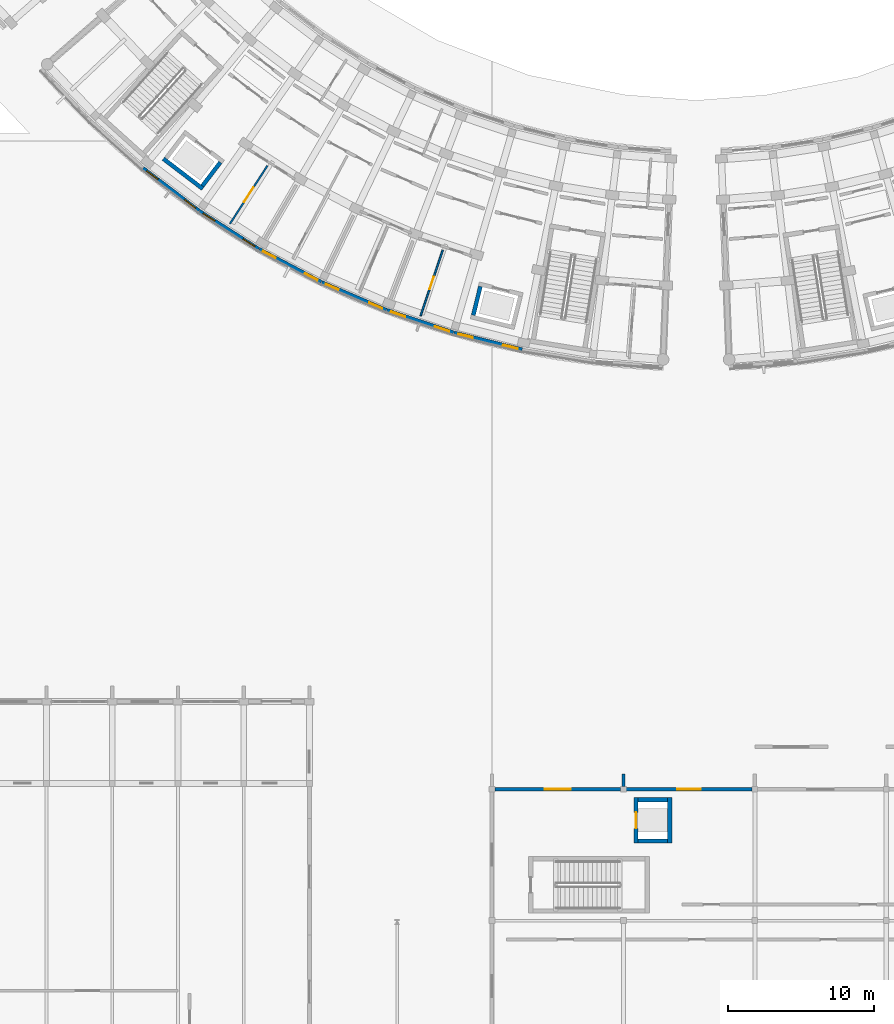
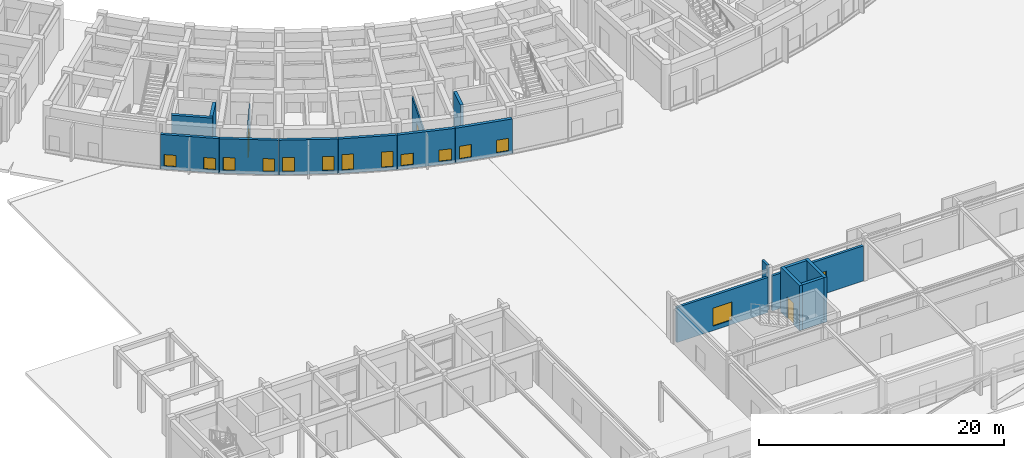
# One storey, part 28 of 61: 18 walls, 13 windows, 4 doors, 17 openings.
"""IFC4 building model written with IfcOpenShell, lengths in metres."""

from ifc_helpers import new_model, si_unit, direction, frame, frame_2d, origin, place, context, subcontext, project, spatial, rectangle, extrude, material, layer, layer_set, type_object, element, fill, save


model = new_model("IFC4")

# Units and contexts
model_context = context("Model", 3, precision=1e-05, world=origin(), true_north=direction((0.0, 1.0)))
body_context = subcontext(model_context, "Body", "Model", "MODEL_VIEW")
ifc_project = project(units=[si_unit("LENGTHUNIT", "METRE"), si_unit("AREAUNIT", "SQUARE_METRE"), si_unit("VOLUMEUNIT", "CUBIC_METRE"), si_unit("PLANEANGLEUNIT", "RADIAN"), si_unit("MASSUNIT", "GRAM", prefix="KILO")], contexts=[model_context])

# Site, building, storey
site_placement = place(None, origin())
site = spatial("IfcSite", under=ifc_project, at=site_placement, CompositionType="ELEMENT")
building_placement = place(site_placement, origin())
building = spatial("IfcBuilding", under=site, at=building_placement, Name="Zimvara Arc Housing Community", CompositionType="ELEMENT")
storey_placement = place(building_placement, origin())
storey = spatial("IfcBuildingStorey", under=building, at=storey_placement, Name="L00", CompositionType="ELEMENT", Elevation=0.0)

# Wall
ifc_material_1 = material(Name="Board-Marked Fair-Faced Concrete C35/45", Category="concrete")
ifc_layer_1 = layer(ifc_material_1, 0.219970703125)
ifc_layer_set_1 = layer_set([ifc_layer_1], Name="Board-Marked Fair-Faced Concrete C35/45")
wall_type_1 = type_object("IfcWallType", Name="EWL-PARA-220", PredefinedType="PARAPET", material=ifc_layer_set_1)
wall_1_placement = place(storey_placement, frame((121.0, 21.780029296875, 0.0), z_axis=(0.0, 0.0, 1.0), x_axis=(0.0, 1.0, 0.0)))
element("IfcWall", 1, at=wall_1_placement, inside=storey, type_object=wall_type_1, Name="finwall:nursery:L00:n:1", PredefinedType="PARAPET", context=body_context, shape_type="SweptSolid", body=[
    extrude(rectangle(XDim=0.869873046875, YDim=0.219970703125, at=frame_2d((0.43505859375, 0.0))), origin(), (0.0, 0.0, 1.0), 4.5),
])

# Wall, opening, window
ifc_material_2 = material(Name="Pigmented Fair-Faced Concrete C35/45", Category="concrete")
ifc_layer_2 = layer(ifc_material_2, 0.235107421875)
ifc_layer_set_2 = layer_set([ifc_layer_2], Name="Pigmented Fair-Faced Concrete C35/45")
wall_type_2 = type_object("IfcWallType", Name="EWL-PIGM-235", PredefinedType="SOLIDWALL", material=ifc_layer_set_2)
wall_2_placement = place(storey_placement, frame((112.195068359375, 21.60009765625, 0.0), z_axis=(0.0, 0.0, 1.0), x_axis=(1.0, 0.0, 0.0)))
wall_2 = element("IfcWall", 2, at=wall_2_placement, inside=storey, type_object=wall_type_2, Name="ewall:nursery:L00:north:b0", PredefinedType="SOLIDWALL", context=body_context, shape_type="SweptSolid", body=[
    extrude(rectangle(XDim=8.60986328125, YDim=0.235107421875, at=frame_2d((4.304931640625, 0.0))), origin(), (0.0, 0.0, 1.0), 3.5),
])
opening_1_placement = place(wall_2_placement, frame((3.405029296875, 0.0, 0.449951171875)))
opening_1 = element("IfcOpeningElement", 3, at=opening_1_placement, cuts=wall_2, Name="Opening W13", PredefinedType="OPENING", context=body_context, shape_type="SweptSolid", body=[
    extrude(rectangle(XDim=1.800048828125, YDim=1.800048828125, at=frame_2d((0.89990234375, 0.89990234375))), frame((0.0, 0.12744140625, 0.0), z_axis=(0.0, -1.0, 0.0), x_axis=(1.0, 0.0, 0.0)), (0.0, 0.0, 1.0), 0.255126953125),
])
ifc_material_3 = material(Name="Solar Control Low-E Double Glazing", Category="glass")
window_type_1 = type_object("IfcWindowType", Name="WIN-NURS-1800x1800", PartitioningType="TRIPLE_PANEL_VERTICAL", PredefinedType="WINDOW", material=ifc_material_3)
window_1_placement = place(opening_1_placement, origin())
window_1 = element("IfcWindow", 4, at=window_1_placement, inside=storey, type_object=window_type_1, Name="win:nursery:L00:north:b0", OverallHeight=1.800048828125, OverallWidth=1.800048828125, PartitioningType="TRIPLE_PANEL_VERTICAL", PredefinedType="WINDOW", context=body_context, shape_type="SweptSolid", body=[
    extrude(rectangle(XDim=1.800048828125, YDim=1.800048828125, at=frame_2d((0.89990234375, 0.89990234375))), frame((0.0, 0.030029296875, 0.0), z_axis=(0.0, -1.0, 0.0), x_axis=(1.0, 0.0, 0.0)), (0.0, 0.0, 1.0), 0.06005859375),
])
fill(opening_1, window_1)

# Wall, opening, door
wall_3_placement = place(storey_placement, frame((121.195068359375, 21.60009765625, 0.0), z_axis=(0.0, 0.0, 1.0), x_axis=(1.0, 0.0, 0.0)))
wall_3 = element("IfcWall", 5, at=wall_3_placement, inside=storey, type_object=wall_type_2, Name="ewall:nursery:L00:north:b1", PredefinedType="SOLIDWALL", context=body_context, shape_type="SweptSolid", body=[
    extrude(rectangle(XDim=8.60986328125, YDim=0.235107421875, at=frame_2d((4.304931640625, 0.0))), origin(), (0.0, 0.0, 1.0), 3.5),
])
opening_2_placement = place(wall_3_placement, frame((3.5048828125, 0.0, 0.0)))
opening_2 = element("IfcOpeningElement", 6, at=opening_2_placement, cuts=wall_3, Name="Opening ED05", PredefinedType="OPENING", context=body_context, shape_type="SweptSolid", body=[
    extrude(rectangle(XDim=1.60009765625, YDim=2.199951171875, at=frame_2d((0.800048828125, 1.10009765625))), frame((0.0, 0.12744140625, 0.0), z_axis=(0.0, -1.0, 0.0), x_axis=(1.0, 0.0, 0.0)), (0.0, 0.0, 1.0), 0.255126953125),
])
ifc_material_4 = material(Name="Anodised Aluminium AW-6063", Category="aluminium")
door_type_1 = type_object("IfcDoorType", Name="EDR-NURS-1600x2200", OperationType="DOUBLE_DOOR_SINGLE_SWING", PredefinedType="DOOR", material=ifc_material_4)
door_1_placement = place(opening_2_placement, origin())
door_1 = element("IfcDoor", 7, at=door_1_placement, inside=storey, type_object=door_type_1, Name="edoor:nursery:L00:north:b1", OperationType="DOUBLE_DOOR_SINGLE_SWING", OverallHeight=2.199951171875, OverallWidth=1.60009765625, PredefinedType="DOOR", context=body_context, shape_type="SweptSolid", body=[
    extrude(rectangle(XDim=1.60009765625, YDim=2.199951171875, at=frame_2d((0.800048828125, 1.10009765625))), frame((0.0, 0.02490234375, 0.0), z_axis=(0.0, -1.0, 0.0), x_axis=(1.0, 0.0, 0.0)), (0.0, 0.0, 1.0), 0.050048828125),
])
fill(opening_2, door_1)

# Wall, openings, windows
ifc_material_5 = material(Name="Board-Marked Fair-Faced Concrete C35/45", Category="concrete")
ifc_layer_3 = layer(ifc_material_5, 0.258056640625)
ifc_layer_set_3 = layer_set([ifc_layer_3], Name="Board-Marked Fair-Faced Concrete C35/45")
wall_type_3 = type_object("IfcWallType", Name="EWL-VAR-19", PredefinedType="SOLIDWALL", material=ifc_layer_set_3)
wall_4_placement = place(storey_placement, frame((88.11376953125, 64.121337890625, 0.0), z_axis=(0.0, 0.0, 1.0), x_axis=(0.795463184108, -0.60600191644, 0.0)))
wall_4 = element("IfcWall", 8, at=wall_4_placement, inside=storey, type_object=wall_type_3, Name="ewall:blkC:L00:out:b2", PredefinedType="SOLIDWALL", context=body_context, shape_type="SweptSolid", body=[
    extrude(rectangle(XDim=4.80908203125, YDim=0.258056640625, at=frame_2d((2.404541015625, 0.0))), origin(), (0.0, 0.0, 1.0), 3.449951171875),
])
opening_3_placement = place(wall_4_placement, frame((0.300048828125, 0.0, 0.300048828125)))
opening_3 = element("IfcOpeningElement", 9, at=opening_3_placement, cuts=wall_4, Name="Opening W25", PredefinedType="OPENING", context=body_context, shape_type="SweptSolid", body=[
    extrude(rectangle(XDim=0.9599609375, YDim=1.159912109375, at=frame_2d((0.47998046875, 0.580078125))), frame((0.0, 0.138916015625, 0.0), z_axis=(0.0, -1.0, 0.0), x_axis=(1.0, 0.0, 0.0)), (0.0, 0.0, 1.0), 0.278076171875),
])
opening_4_placement = place(wall_4_placement, frame((3.548828125, 0.0, 0.300048828125)))
opening_4 = element("IfcOpeningElement", 10, at=opening_4_placement, cuts=wall_4, Name="Opening W25", PredefinedType="OPENING", context=body_context, shape_type="SweptSolid", body=[
    extrude(rectangle(XDim=0.9599609375, YDim=1.159912109375, at=frame_2d((0.47998046875, 0.580078125))), frame((0.0, 0.138916015625, 0.0), z_axis=(0.0, -1.0, 0.0), x_axis=(1.0, 0.0, 0.0)), (0.0, 0.0, 1.0), 0.278076171875),
])
ifc_material_6 = material(Name="Solar Control Low-E Double Glazing", Category="glass")
window_type_2 = type_object("IfcWindowType", Name="WIN-MOD-960x1160", PartitioningType="DOUBLE_PANEL_VERTICAL", PredefinedType="WINDOW", material=ifc_material_6)
window_2_placement = place(opening_3_placement, origin())
window_2 = element("IfcWindow", 11, at=window_2_placement, inside=storey, type_object=window_type_2, Name="win:blkC:L00:out:b2:1", OverallHeight=1.159912109375, OverallWidth=0.9599609375, PartitioningType="DOUBLE_PANEL_VERTICAL", PredefinedType="WINDOW", context=body_context, shape_type="SweptSolid", body=[
    extrude(rectangle(XDim=0.9599609375, YDim=1.159912109375, at=frame_2d((0.47998046875, 0.580078125))), frame((0.0, 0.030029296875, 0.0), z_axis=(0.0, -1.0, 0.0), x_axis=(1.0, 0.0, 0.0)), (0.0, 0.0, 1.0), 0.06005859375),
])
fill(opening_3, window_2)
window_3_placement = place(opening_4_placement, origin())
window_3 = element("IfcWindow", 12, at=window_3_placement, inside=storey, type_object=window_type_2, Name="win:blkC:L00:out:b2:2", OverallHeight=1.159912109375, OverallWidth=0.9599609375, PartitioningType="DOUBLE_PANEL_VERTICAL", PredefinedType="WINDOW", context=body_context, shape_type="SweptSolid", body=[
    extrude(rectangle(XDim=0.9599609375, YDim=1.159912109375, at=frame_2d((0.47998046875, 0.580078125))), frame((0.0, 0.030029296875, 0.0), z_axis=(0.0, -1.0, 0.0), x_axis=(1.0, 0.0, 0.0)), (0.0, 0.0, 1.0), 0.06005859375),
])
fill(opening_4, window_3)

ifc_material_7 = material(Name="Board-Marked Fair-Faced Concrete C35/45", Category="concrete")
ifc_layer_4 = layer(ifc_material_7, 0.261962890625)
ifc_layer_set_4 = layer_set([ifc_layer_4], Name="Board-Marked Fair-Faced Concrete C35/45")
wall_type_4 = type_object("IfcWallType", Name="EWL-VAR-20", PredefinedType="SOLIDWALL", material=ifc_layer_set_4)
wall_5_placement = place(storey_placement, frame((91.971923828125, 61.18408203125, 0.0), z_axis=(0.0, 0.0, 1.0), x_axis=(0.84226218024, -0.539068103061, 0.0)))
wall_5 = element("IfcWall", 13, at=wall_5_placement, inside=storey, type_object=wall_type_4, Name="ewall:blkC:L00:out:b3", PredefinedType="SOLIDWALL", context=body_context, shape_type="SweptSolid", body=[
    extrude(rectangle(XDim=4.808837890625, YDim=0.261962890625, at=frame_2d((2.404296875, 0.0))), origin(), (0.0, 0.0, 1.0), 3.449951171875),
])
opening_5_placement = place(wall_5_placement, frame((0.300048828125, 0.0, 0.300048828125)))
opening_5 = element("IfcOpeningElement", 14, at=opening_5_placement, cuts=wall_5, Name="Opening W26", PredefinedType="OPENING", context=body_context, shape_type="SweptSolid", body=[
    extrude(rectangle(XDim=0.9599609375, YDim=1.280029296875, at=frame_2d((0.47998046875, 0.64013671875))), frame((0.0, 0.140869140625, 0.0), z_axis=(0.0, -1.0, 0.0), x_axis=(1.0, 0.0, 0.0)), (0.0, 0.0, 1.0), 0.281982421875),
])
opening_6_placement = place(wall_5_placement, frame((3.548828125, 0.0, 0.300048828125)))
opening_6 = element("IfcOpeningElement", 15, at=opening_6_placement, cuts=wall_5, Name="Opening W26", PredefinedType="OPENING", context=body_context, shape_type="SweptSolid", body=[
    extrude(rectangle(XDim=0.9599609375, YDim=1.280029296875, at=frame_2d((0.47998046875, 0.64013671875))), frame((0.0, 0.140869140625, 0.0), z_axis=(0.0, -1.0, 0.0), x_axis=(1.0, 0.0, 0.0)), (0.0, 0.0, 1.0), 0.281982421875),
])
ifc_material_8 = material(Name="Solar Control Low-E Double Glazing", Category="glass")
window_type_3 = type_object("IfcWindowType", Name="WIN-MOD-960x1280", PartitioningType="DOUBLE_PANEL_VERTICAL", PredefinedType="WINDOW", material=ifc_material_8)
window_4_placement = place(opening_5_placement, origin())
window_4 = element("IfcWindow", 16, at=window_4_placement, inside=storey, type_object=window_type_3, Name="win:blkC:L00:out:b3:1", OverallHeight=1.280029296875, OverallWidth=0.9599609375, PartitioningType="DOUBLE_PANEL_VERTICAL", PredefinedType="WINDOW", context=body_context, shape_type="SweptSolid", body=[
    extrude(rectangle(XDim=0.9599609375, YDim=1.280029296875, at=frame_2d((0.47998046875, 0.64013671875))), frame((0.0, 0.030029296875, 0.0), z_axis=(0.0, -1.0, 0.0), x_axis=(1.0, 0.0, 0.0)), (0.0, 0.0, 1.0), 0.06005859375),
])
fill(opening_5, window_4)
window_5_placement = place(opening_6_placement, origin())
window_5 = element("IfcWindow", 17, at=window_5_placement, inside=storey, type_object=window_type_3, Name="win:blkC:L00:out:b3:2", OverallHeight=1.280029296875, OverallWidth=0.9599609375, PartitioningType="DOUBLE_PANEL_VERTICAL", PredefinedType="WINDOW", context=body_context, shape_type="SweptSolid", body=[
    extrude(rectangle(XDim=0.9599609375, YDim=1.280029296875, at=frame_2d((0.47998046875, 0.64013671875))), frame((0.0, 0.030029296875, 0.0), z_axis=(0.0, -1.0, 0.0), x_axis=(1.0, 0.0, 0.0)), (0.0, 0.0, 1.0), 0.06005859375),
])
fill(opening_6, window_5)

ifc_material_9 = material(Name="Board-Marked Fair-Faced Concrete C35/45", Category="concrete")
ifc_layer_5 = layer(ifc_material_9, 0.26806640625)
ifc_layer_set_5 = layer_set([ifc_layer_5], Name="Board-Marked Fair-Faced Concrete C35/45")
wall_type_5 = type_object("IfcWallType", Name="EWL-VAR-21", PredefinedType="SOLIDWALL", material=ifc_layer_set_5)
wall_6_placement = place(storey_placement, frame((96.056640625, 58.57177734375, 0.0), z_axis=(0.0, 0.0, 1.0), x_axis=(0.883448093208, -0.468529045639, 0.0)))
wall_6 = element("IfcWall", 18, at=wall_6_placement, inside=storey, type_object=wall_type_5, Name="ewall:blkC:L00:out:b4", PredefinedType="SOLIDWALL", context=body_context, shape_type="SweptSolid", body=[
    extrude(rectangle(XDim=4.80908203125, YDim=0.26806640625, at=frame_2d((2.404541015625, 0.0))), origin(), (0.0, 0.0, 1.0), 3.449951171875),
])
opening_7_placement = place(wall_6_placement, frame((0.300048828125, 0.0, 0.300048828125)))
opening_7 = element("IfcOpeningElement", 19, at=opening_7_placement, cuts=wall_6, Name="Opening W27", PredefinedType="OPENING", context=body_context, shape_type="SweptSolid", body=[
    extrude(rectangle(XDim=0.9599609375, YDim=1.419921875, at=frame_2d((0.47998046875, 0.7099609375))), frame((0.0, 0.14404296875, 0.0), z_axis=(0.0, -1.0, 0.0), x_axis=(1.0, 0.0, 0.0)), (0.0, 0.0, 1.0), 0.2880859375),
])
opening_8_placement = place(wall_6_placement, frame((3.548828125, 0.0, 0.300048828125)))
opening_8 = element("IfcOpeningElement", 20, at=opening_8_placement, cuts=wall_6, Name="Opening W27", PredefinedType="OPENING", context=body_context, shape_type="SweptSolid", body=[
    extrude(rectangle(XDim=0.9599609375, YDim=1.419921875, at=frame_2d((0.47998046875, 0.7099609375))), frame((0.0, 0.14404296875, 0.0), z_axis=(0.0, -1.0, 0.0), x_axis=(1.0, 0.0, 0.0)), (0.0, 0.0, 1.0), 0.2880859375),
])
ifc_material_10 = material(Name="Solar Control Low-E Double Glazing", Category="glass")
window_type_4 = type_object("IfcWindowType", Name="WIN-MOD-960x1420", PartitioningType="DOUBLE_PANEL_VERTICAL", PredefinedType="WINDOW", material=ifc_material_10)
window_6_placement = place(opening_7_placement, origin())
window_6 = element("IfcWindow", 21, at=window_6_placement, inside=storey, type_object=window_type_4, Name="win:blkC:L00:out:b4:1", OverallHeight=1.419921875, OverallWidth=0.9599609375, PartitioningType="DOUBLE_PANEL_VERTICAL", PredefinedType="WINDOW", context=body_context, shape_type="SweptSolid", body=[
    extrude(rectangle(XDim=0.9599609375, YDim=1.419921875, at=frame_2d((0.47998046875, 0.7099609375))), frame((0.0, 0.030029296875, 0.0), z_axis=(0.0, -1.0, 0.0), x_axis=(1.0, 0.0, 0.0)), (0.0, 0.0, 1.0), 0.06005859375),
])
fill(opening_7, window_6)
window_7_placement = place(opening_8_placement, origin())
window_7 = element("IfcWindow", 22, at=window_7_placement, inside=storey, type_object=window_type_4, Name="win:blkC:L00:out:b4:2", OverallHeight=1.419921875, OverallWidth=0.9599609375, PartitioningType="DOUBLE_PANEL_VERTICAL", PredefinedType="WINDOW", context=body_context, shape_type="SweptSolid", body=[
    extrude(rectangle(XDim=0.9599609375, YDim=1.419921875, at=frame_2d((0.47998046875, 0.7099609375))), frame((0.0, 0.030029296875, 0.0), z_axis=(0.0, -1.0, 0.0), x_axis=(1.0, 0.0, 0.0)), (0.0, 0.0, 1.0), 0.06005859375),
])
fill(opening_8, window_7)

ifc_material_11 = material(Name="Board-Marked Fair-Faced Concrete C35/45", Category="concrete")
ifc_layer_6 = layer(ifc_material_11, 0.27197265625)
ifc_layer_set_6 = layer_set([ifc_layer_6], Name="Board-Marked Fair-Faced Concrete C35/45")
wall_type_6 = type_object("IfcWallType", Name="EWL-VAR-22", PredefinedType="SOLIDWALL", material=ifc_layer_set_6)
wall_7_placement = place(storey_placement, frame((100.341064453125, 56.30126953125, 0.0), z_axis=(0.0, 0.0, 1.0), x_axis=(0.918737524932, -0.39486878869, 0.0)))
wall_7 = element("IfcWall", 23, at=wall_7_placement, inside=storey, type_object=wall_type_6, Name="ewall:blkC:L00:out:b5", PredefinedType="SOLIDWALL", context=body_context, shape_type="SweptSolid", body=[
    extrude(rectangle(XDim=4.80908203125, YDim=0.27197265625, at=frame_2d((2.404541015625, 0.0))), origin(), (0.0, 0.0, 1.0), 3.449951171875),
])
opening_9_placement = place(wall_7_placement, frame((0.300048828125, 0.0, 0.300048828125)))
opening_9 = element("IfcOpeningElement", 24, at=opening_9_placement, cuts=wall_7, Name="Opening W28", PredefinedType="OPENING", context=body_context, shape_type="SweptSolid", body=[
    extrude(rectangle(XDim=0.9599609375, YDim=1.56005859375, at=frame_2d((0.47998046875, 0.780029296875))), frame((0.0, 0.14599609375, 0.0), z_axis=(0.0, -1.0, 0.0), x_axis=(1.0, 0.0, 0.0)), (0.0, 0.0, 1.0), 0.2919921875),
])
opening_10_placement = place(wall_7_placement, frame((3.548828125, 0.0, 0.300048828125)))
opening_10 = element("IfcOpeningElement", 25, at=opening_10_placement, cuts=wall_7, Name="Opening W28", PredefinedType="OPENING", context=body_context, shape_type="SweptSolid", body=[
    extrude(rectangle(XDim=0.9599609375, YDim=1.56005859375, at=frame_2d((0.47998046875, 0.780029296875))), frame((0.0, 0.14599609375, 0.0), z_axis=(0.0, -1.0, 0.0), x_axis=(1.0, 0.0, 0.0)), (0.0, 0.0, 1.0), 0.2919921875),
])
ifc_material_12 = material(Name="Solar Control Low-E Double Glazing", Category="glass")
window_type_5 = type_object("IfcWindowType", Name="WIN-MOD-960x1560", PartitioningType="DOUBLE_PANEL_VERTICAL", PredefinedType="WINDOW", material=ifc_material_12)
window_8_placement = place(opening_9_placement, origin())
window_8 = element("IfcWindow", 26, at=window_8_placement, inside=storey, type_object=window_type_5, Name="win:blkC:L00:out:b5:1", OverallHeight=1.56005859375, OverallWidth=0.9599609375, PartitioningType="DOUBLE_PANEL_VERTICAL", PredefinedType="WINDOW", context=body_context, shape_type="SweptSolid", body=[
    extrude(rectangle(XDim=0.9599609375, YDim=1.56005859375, at=frame_2d((0.47998046875, 0.780029296875))), frame((0.0, 0.030029296875, 0.0), z_axis=(0.0, -1.0, 0.0), x_axis=(1.0, 0.0, 0.0)), (0.0, 0.0, 1.0), 0.06005859375),
])
fill(opening_9, window_8)
window_9_placement = place(opening_10_placement, origin())
window_9 = element("IfcWindow", 27, at=window_9_placement, inside=storey, type_object=window_type_5, Name="win:blkC:L00:out:b5:2", OverallHeight=1.56005859375, OverallWidth=0.9599609375, PartitioningType="DOUBLE_PANEL_VERTICAL", PredefinedType="WINDOW", context=body_context, shape_type="SweptSolid", body=[
    extrude(rectangle(XDim=0.9599609375, YDim=1.56005859375, at=frame_2d((0.47998046875, 0.780029296875))), frame((0.0, 0.030029296875, 0.0), z_axis=(0.0, -1.0, 0.0), x_axis=(1.0, 0.0, 0.0)), (0.0, 0.0, 1.0), 0.06005859375),
])
fill(opening_10, window_9)

ifc_material_13 = material(Name="Board-Marked Fair-Faced Concrete C35/45", Category="concrete")
ifc_layer_7 = layer(ifc_material_13, 0.278076171875)
ifc_layer_set_7 = layer_set([ifc_layer_7], Name="Board-Marked Fair-Faced Concrete C35/45")
wall_type_7 = type_object("IfcWallType", Name="EWL-VAR-23", PredefinedType="SOLIDWALL", material=ifc_layer_set_7)
wall_8_placement = place(storey_placement, frame((104.79638671875, 54.387939453125, 0.0), z_axis=(0.0, 0.0, 1.0), x_axis=(0.947883232114, -0.318617918952, 0.0)))
wall_8 = element("IfcWall", 28, at=wall_8_placement, inside=storey, type_object=wall_type_7, Name="ewall:blkC:L00:out:b6", PredefinedType="SOLIDWALL", context=body_context, shape_type="SweptSolid", body=[
    extrude(rectangle(XDim=4.80908203125, YDim=0.278076171875, at=frame_2d((2.404541015625, 0.0))), origin(), (0.0, 0.0, 1.0), 3.449951171875),
])
opening_11_placement = place(wall_8_placement, frame((0.300048828125, 0.0, 0.300048828125)))
opening_11 = element("IfcOpeningElement", 29, at=opening_11_placement, cuts=wall_8, Name="Opening W29", PredefinedType="OPENING", context=body_context, shape_type="SweptSolid", body=[
    extrude(rectangle(XDim=1.0400390625, YDim=1.159912109375, at=frame_2d((0.52001953125, 0.580078125))), frame((0.0, 0.14892578125, 0.0), z_axis=(0.0, -1.0, 0.0), x_axis=(1.0, 0.0, 0.0)), (0.0, 0.0, 1.0), 0.298095703125),
])
opening_12_placement = place(wall_8_placement, frame((3.468994140625, 0.0, 0.300048828125)))
opening_12 = element("IfcOpeningElement", 30, at=opening_12_placement, cuts=wall_8, Name="Opening W29", PredefinedType="OPENING", context=body_context, shape_type="SweptSolid", body=[
    extrude(rectangle(XDim=1.0400390625, YDim=1.159912109375, at=frame_2d((0.52001953125, 0.580078125))), frame((0.0, 0.14892578125, 0.0), z_axis=(0.0, -1.0, 0.0), x_axis=(1.0, 0.0, 0.0)), (0.0, 0.0, 1.0), 0.298095703125),
])
ifc_material_14 = material(Name="Solar Control Low-E Double Glazing", Category="glass")
window_type_6 = type_object("IfcWindowType", Name="WIN-MOD-1040x1160", PartitioningType="DOUBLE_PANEL_VERTICAL", PredefinedType="WINDOW", material=ifc_material_14)
window_10_placement = place(opening_11_placement, origin())
window_10 = element("IfcWindow", 31, at=window_10_placement, inside=storey, type_object=window_type_6, Name="win:blkC:L00:out:b6:1", OverallHeight=1.159912109375, OverallWidth=1.0400390625, PartitioningType="DOUBLE_PANEL_VERTICAL", PredefinedType="WINDOW", context=body_context, shape_type="SweptSolid", body=[
    extrude(rectangle(XDim=1.0400390625, YDim=1.159912109375, at=frame_2d((0.52001953125, 0.580078125))), frame((0.0, 0.030029296875, 0.0), z_axis=(0.0, -1.0, 0.0), x_axis=(1.0, 0.0, 0.0)), (0.0, 0.0, 1.0), 0.06005859375),
])
fill(opening_11, window_10)
window_11_placement = place(opening_12_placement, origin())
window_11 = element("IfcWindow", 32, at=window_11_placement, inside=storey, type_object=window_type_6, Name="win:blkC:L00:out:b6:2", OverallHeight=1.159912109375, OverallWidth=1.0400390625, PartitioningType="DOUBLE_PANEL_VERTICAL", PredefinedType="WINDOW", context=body_context, shape_type="SweptSolid", body=[
    extrude(rectangle(XDim=1.0400390625, YDim=1.159912109375, at=frame_2d((0.52001953125, 0.580078125))), frame((0.0, 0.030029296875, 0.0), z_axis=(0.0, -1.0, 0.0), x_axis=(1.0, 0.0, 0.0)), (0.0, 0.0, 1.0), 0.06005859375),
])
fill(opening_12, window_11)

ifc_material_15 = material(Name="Board-Marked Fair-Faced Concrete C35/45", Category="concrete")
ifc_layer_8 = layer(ifc_material_15, 0.281982421875)
ifc_layer_set_8 = layer_set([ifc_layer_8], Name="Board-Marked Fair-Faced Concrete C35/45")
wall_type_8 = type_object("IfcWallType", Name="EWL-VAR-24", PredefinedType="SOLIDWALL", material=ifc_layer_set_8)
wall_9_placement = place(storey_placement, frame((109.39306640625, 52.844482421875, 0.0), z_axis=(0.0, 0.0, 1.0), x_axis=(0.970716115822, -0.240229520426, 0.0)))
wall_9 = element("IfcWall", 33, at=wall_9_placement, inside=storey, type_object=wall_type_8, Name="ewall:blkC:L00:out:b7", PredefinedType="SOLIDWALL", context=body_context, shape_type="SweptSolid", body=[
    extrude(rectangle(XDim=4.80908203125, YDim=0.281982421875, at=frame_2d((2.404541015625, 0.0))), origin(), (0.0, 0.0, 1.0), 3.449951171875),
])
opening_13_placement = place(wall_9_placement, frame((0.300048828125, 0.0, 0.300048828125)))
opening_13 = element("IfcOpeningElement", 34, at=opening_13_placement, cuts=wall_9, Name="Opening W30", PredefinedType="OPENING", context=body_context, shape_type="SweptSolid", body=[
    extrude(rectangle(XDim=1.0400390625, YDim=1.280029296875, at=frame_2d((0.52001953125, 0.64013671875))), frame((0.0, 0.15087890625, 0.0), z_axis=(0.0, -1.0, 0.0), x_axis=(1.0, 0.0, 0.0)), (0.0, 0.0, 1.0), 0.302001953125),
])
opening_14_placement = place(wall_9_placement, frame((3.468994140625, 0.0, 0.300048828125)))
opening_14 = element("IfcOpeningElement", 35, at=opening_14_placement, cuts=wall_9, Name="Opening W30", PredefinedType="OPENING", context=body_context, shape_type="SweptSolid", body=[
    extrude(rectangle(XDim=1.0400390625, YDim=1.280029296875, at=frame_2d((0.52001953125, 0.64013671875))), frame((0.0, 0.15087890625, 0.0), z_axis=(0.0, -1.0, 0.0), x_axis=(1.0, 0.0, 0.0)), (0.0, 0.0, 1.0), 0.302001953125),
])
ifc_material_16 = material(Name="Solar Control Low-E Double Glazing", Category="glass")
window_type_7 = type_object("IfcWindowType", Name="WIN-MOD-1040x1280", PartitioningType="DOUBLE_PANEL_VERTICAL", PredefinedType="WINDOW", material=ifc_material_16)
window_12_placement = place(opening_13_placement, origin())
window_12 = element("IfcWindow", 36, at=window_12_placement, inside=storey, type_object=window_type_7, Name="win:blkC:L00:out:b7:1", OverallHeight=1.280029296875, OverallWidth=1.0400390625, PartitioningType="DOUBLE_PANEL_VERTICAL", PredefinedType="WINDOW", context=body_context, shape_type="SweptSolid", body=[
    extrude(rectangle(XDim=1.0400390625, YDim=1.280029296875, at=frame_2d((0.52001953125, 0.64013671875))), frame((0.0, 0.030029296875, 0.0), z_axis=(0.0, -1.0, 0.0), x_axis=(1.0, 0.0, 0.0)), (0.0, 0.0, 1.0), 0.06005859375),
])
fill(opening_13, window_12)
window_13_placement = place(opening_14_placement, origin())
window_13 = element("IfcWindow", 37, at=window_13_placement, inside=storey, type_object=window_type_7, Name="win:blkC:L00:out:b7:2", OverallHeight=1.280029296875, OverallWidth=1.0400390625, PartitioningType="DOUBLE_PANEL_VERTICAL", PredefinedType="WINDOW", context=body_context, shape_type="SweptSolid", body=[
    extrude(rectangle(XDim=1.0400390625, YDim=1.280029296875, at=frame_2d((0.52001953125, 0.64013671875))), frame((0.0, 0.030029296875, 0.0), z_axis=(0.0, -1.0, 0.0), x_axis=(1.0, 0.0, 0.0)), (0.0, 0.0, 1.0), 0.06005859375),
])
fill(opening_14, window_13)

# Wall, opening, door
ifc_material_17 = material(Name="Painted Acoustic Plasterboard")
ifc_layer_9 = layer(ifc_material_17, 0.1201171875)
ifc_layer_set_9 = layer_set([ifc_layer_9], Name="Painted Acoustic Plasterboard")
wall_type_9 = type_object("IfcWallType", Name="IWL-PART-120", PredefinedType="PARTITIONING", material=ifc_layer_set_9)
wall_10_placement = place(storey_placement, frame((96.625244140625, 64.297607421875, 0.0), z_axis=(0.0, 0.0, 1.0), x_axis=(-0.541632735422, -0.840615238929, 0.0)))
wall_10 = element("IfcWall", 38, at=wall_10_placement, inside=storey, type_object=wall_type_9, Name="iwall:blkC:L00:bed_div:b3", PredefinedType="PARTITIONING", context=body_context, shape_type="SweptSolid", body=[
    extrude(rectangle(XDim=4.75, YDim=0.1201171875, at=frame_2d((2.375, 0.0))), origin(), (0.0, 0.0, 1.0), 3.340087890625),
])
opening_15_placement = place(wall_10_placement, frame((1.784912109375, 0.0, 0.0)))
opening_15 = element("IfcOpeningElement", 39, at=opening_15_placement, cuts=wall_10, Name="Opening D18", PredefinedType="OPENING", context=body_context, shape_type="SweptSolid", body=[
    extrude(rectangle(XDim=1.179931640625, YDim=2.10009765625, at=frame_2d((0.58984375, 1.050048828125))), frame((0.0, 0.070068359375, 0.0), z_axis=(0.0, -1.0, 0.0), x_axis=(1.0, 0.0, 0.0)), (0.0, 0.0, 1.0), 0.14013671875),
])
ifc_material_18 = material(Name="Mozambican Hardwood", Category="wood")
door_type_2 = type_object("IfcDoorType", Name="IDR-MOD-1180x2120", OperationType="NOTDEFINED", PredefinedType="DOOR", material=ifc_material_18)
door_2_placement = place(opening_15_placement, origin())
door_2 = element("IfcDoor", 40, at=door_2_placement, inside=storey, type_object=door_type_2, Name="idoor:blkC:L00:bed_d:b3", OperationType="SINGLE_SWING_LEFT", OverallHeight=2.10009765625, OverallWidth=1.179931640625, PredefinedType="DOOR", context=body_context, shape_type="SweptSolid", body=[
    extrude(rectangle(XDim=1.179931640625, YDim=2.10009765625, at=frame_2d((0.58984375, 1.050048828125))), frame((0.0, 0.02490234375, 0.0), z_axis=(0.0, -1.0, 0.0), x_axis=(1.0, 0.0, 0.0)), (0.0, 0.0, 1.0), 0.050048828125),
])
fill(opening_15, door_2)

wall_11_placement = place(storey_placement, frame((108.6328125, 58.510986328125, 0.0), z_axis=(0.0, 0.0, 1.0), x_axis=(-0.320064719126, -0.947395680574, 0.0)))
wall_11 = element("IfcWall", 41, at=wall_11_placement, inside=storey, type_object=wall_type_9, Name="iwall:blkC:L00:bed_div:b6", PredefinedType="PARTITIONING", context=body_context, shape_type="SweptSolid", body=[
    extrude(rectangle(XDim=4.749755859375, YDim=0.1201171875, at=frame_2d((2.375, 0.0))), origin(), (0.0, 0.0, 1.0), 3.340087890625),
])
opening_16_placement = place(wall_11_placement, frame((1.925048828125, 0.0, 0.0)))
opening_16 = element("IfcOpeningElement", 42, at=opening_16_placement, cuts=wall_11, Name="Opening D01", PredefinedType="OPENING", context=body_context, shape_type="SweptSolid", body=[
    extrude(rectangle(XDim=0.89990234375, YDim=2.10009765625, at=frame_2d((0.449951171875, 1.050048828125))), frame((0.0, 0.070068359375, 0.0), z_axis=(0.0, -1.0, 0.0), x_axis=(1.0, 0.0, 0.0)), (0.0, 0.0, 1.0), 0.14013671875),
])
ifc_material_19 = material(Name="Mozambican Hardwood", Category="wood")
door_type_3 = type_object("IfcDoorType", Name="IDR-RM-0900x2100", OperationType="NOTDEFINED", PredefinedType="DOOR", material=ifc_material_19)
door_3_placement = place(opening_16_placement, origin())
door_3 = element("IfcDoor", 43, at=door_3_placement, inside=storey, type_object=door_type_3, Name="idoor:blkC:L00:bed_d:b6", OperationType="SINGLE_SWING_RIGHT", OverallHeight=2.10009765625, OverallWidth=0.89990234375, PredefinedType="DOOR", context=body_context, shape_type="SweptSolid", body=[
    extrude(rectangle(XDim=0.89990234375, YDim=2.10009765625, at=frame_2d((0.449951171875, 1.050048828125))), frame((0.0, 0.02490234375, 0.0), z_axis=(0.0, -1.0, 0.0), x_axis=(1.0, 0.0, 0.0)), (0.0, 0.0, 1.0), 0.050048828125),
])
fill(opening_16, door_3)

# Walls
ifc_material_20 = material(Name="Concrete C40/50", Category="concrete")
ifc_layer_10 = layer(ifc_material_20, 0.280029296875)
ifc_layer_set_10 = layer_set([ifc_layer_10], Name="Concrete C40/50")
wall_type_10 = type_object("IfcWallType", Name="WL-CORE-280", PredefinedType="SHEAR", material=ifc_layer_set_10)
wall_12_placement = place(storey_placement, frame((89.49951171875, 64.76953125, 0.0), z_axis=(0.0, 0.0, 1.0), x_axis=(0.795474703455, -0.605986795371, 0.0)))
element("IfcWall", 44, at=wall_12_placement, inside=storey, type_object=wall_type_10, Name="lwall:LF-C1:L00:back", PredefinedType="SHEAR", context=body_context, shape_type="SweptSolid", body=[
    extrude(rectangle(XDim=3.389892578125, YDim=0.280029296875, at=frame_2d((1.69482421875, 0.0))), origin(), (0.0, 0.0, 1.0), 4.5),
])
wall_13_placement = place(storey_placement, frame((93.399658203125, 64.5263671875, 0.0), z_axis=(0.0, 0.0, 1.0), x_axis=(-0.605891019062, -0.795547656033, 0.0)))
element("IfcWall", 45, at=wall_13_placement, inside=storey, type_object=wall_type_10, Name="lwall:LF-C1:L00:right", PredefinedType="SHEAR", context=body_context, shape_type="SweptSolid", body=[
    extrude(rectangle(XDim=2.030029296875, YDim=0.280029296875, at=frame_2d((1.01513671875, 0.0))), origin(), (0.0, 0.0, 1.0), 4.5),
])
wall_14_placement = place(storey_placement, frame((111.210205078125, 56.026611328125, 0.0), z_axis=(0.0, 0.0, 1.0), x_axis=(-0.240186044774, -0.970726873995, 0.0)))
element("IfcWall", 46, at=wall_14_placement, inside=storey, type_object=wall_type_10, Name="lwall:LP-C2:L00:left", PredefinedType="SHEAR", context=body_context, shape_type="SweptSolid", body=[
    extrude(rectangle(XDim=2.02978515625, YDim=0.280029296875, at=frame_2d((1.014892578125, 0.0))), origin(), (0.0, 0.0, 1.0), 4.5),
])

# Wall, opening, door
wall_15_placement = place(storey_placement, frame((121.864990234375, 17.925048828125, 0.0), z_axis=(0.0, 0.0, 1.0), x_axis=(0.0, 1.0, 0.0)))
wall_15 = element("IfcWall", 47, at=wall_15_placement, inside=storey, type_object=wall_type_10, Name="lwall:LP-N1:L00:front", PredefinedType="SHEAR", context=body_context, shape_type="SweptSolid", body=[
    extrude(rectangle(XDim=3.08984375, YDim=0.280029296875, at=frame_2d((1.544921875, 0.0))), origin(), (0.0, 0.0, 1.0), 4.5),
])
opening_17_placement = place(wall_15_placement, frame((0.9951171875, 0.0, 0.0)))
opening_17 = element("IfcOpeningElement", 48, at=opening_17_placement, cuts=wall_15, Name="Opening LD-LP-N1", PredefinedType="OPENING", context=body_context, shape_type="SweptSolid", body=[
    extrude(rectangle(XDim=1.10009765625, YDim=2.14990234375, at=frame_2d((0.550048828125, 1.074951171875))), frame((0.0, 0.14990234375, 0.0), z_axis=(0.0, -1.0, 0.0), x_axis=(1.0, 0.0, 0.0)), (0.0, 0.0, 1.0), 0.300048828125),
])
ifc_material_21 = material(Name="Anodised Aluminium AW-6063", Category="aluminium")
door_type_4 = type_object("IfcDoorType", Name="IDR-LD-1100x2150", OperationType="DOUBLE_DOOR_SLIDING", PredefinedType="DOOR", material=ifc_material_21)
door_4_placement = place(opening_17_placement, origin())
door_4 = element("IfcDoor", 49, at=door_4_placement, inside=storey, type_object=door_type_4, Name="Lift LP-N1 Sliding Landing Door L00", OperationType="DOUBLE_DOOR_SLIDING", OverallHeight=2.14990234375, OverallWidth=1.10009765625, PredefinedType="DOOR", context=body_context, shape_type="SweptSolid", body=[
    extrude(rectangle(XDim=1.10009765625, YDim=2.14990234375, at=frame_2d((0.550048828125, 1.074951171875))), frame((0.0, 0.02490234375, 0.0), z_axis=(0.0, -1.0, 0.0), x_axis=(1.0, 0.0, 0.0)), (0.0, 0.0, 1.0), 0.050048828125),
])
fill(opening_17, door_4)

# Walls
wall_16_placement = place(storey_placement, frame((124.175048828125, 17.925048828125, 0.0), z_axis=(0.0, 0.0, 1.0), x_axis=(0.0, 1.0, 0.0)))
element("IfcWall", 50, at=wall_16_placement, inside=storey, type_object=wall_type_10, Name="lwall:LP-N1:L00:back", PredefinedType="SHEAR", context=body_context, shape_type="SweptSolid", body=[
    extrude(rectangle(XDim=3.08984375, YDim=0.280029296875, at=frame_2d((1.544921875, 0.0))), origin(), (0.0, 0.0, 1.0), 4.5),
])
for number, where, z_axis, x_axis, name in (
    (51, (122.0048828125, 18.06494140625, 0.0), (0.0, 0.0, 1.0), (1.0, 0.0, 0.0), "lwall:LP-N1:L00:left"),
    (52, (122.0048828125, 20.875, 0.0), (0.0, 0.0, 1.0), (1.0, 0.0, 0.0), "lwall:LP-N1:L00:right"),
):
    element("IfcWall", number, at=place(storey_placement, frame(where, z_axis=z_axis, x_axis=x_axis)), inside=storey, type_object=wall_type_10, Name=name, PredefinedType="SHEAR", context=body_context, shape_type="SweptSolid", body=[
        extrude(rectangle(XDim=2.030029296875, YDim=0.280029296875, at=frame_2d((1.01513671875, 0.0))), origin(), (0.0, 0.0, 1.0), 4.5),
    ])

save(model, "model.ifc")
